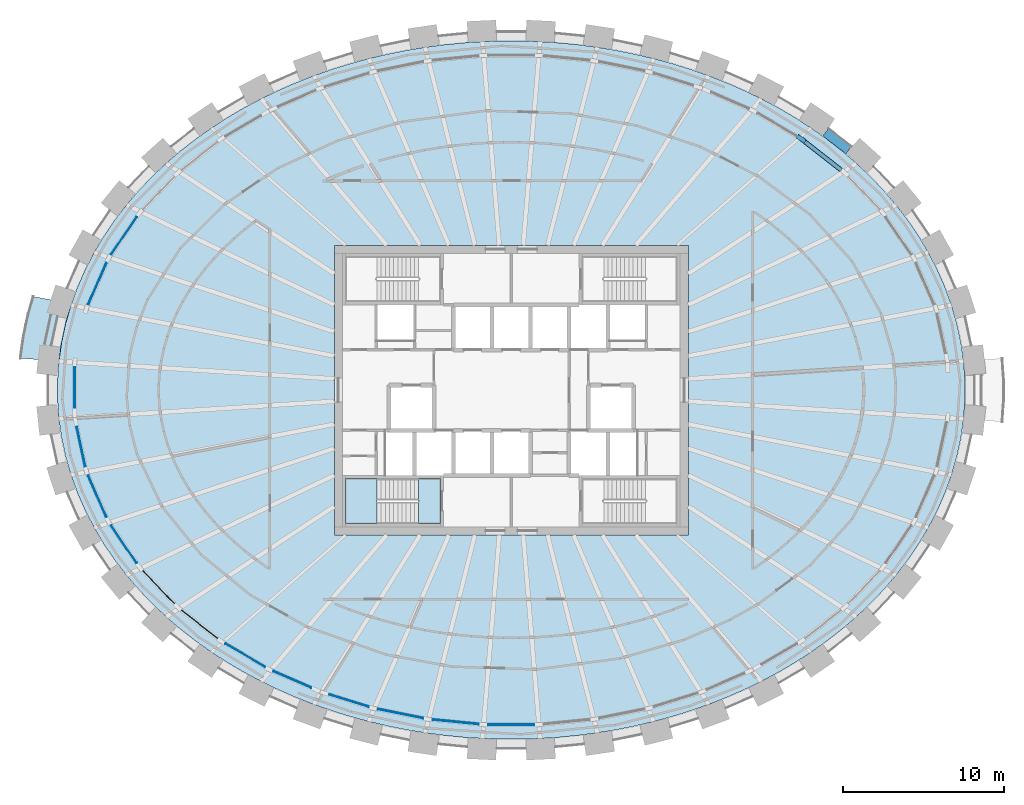
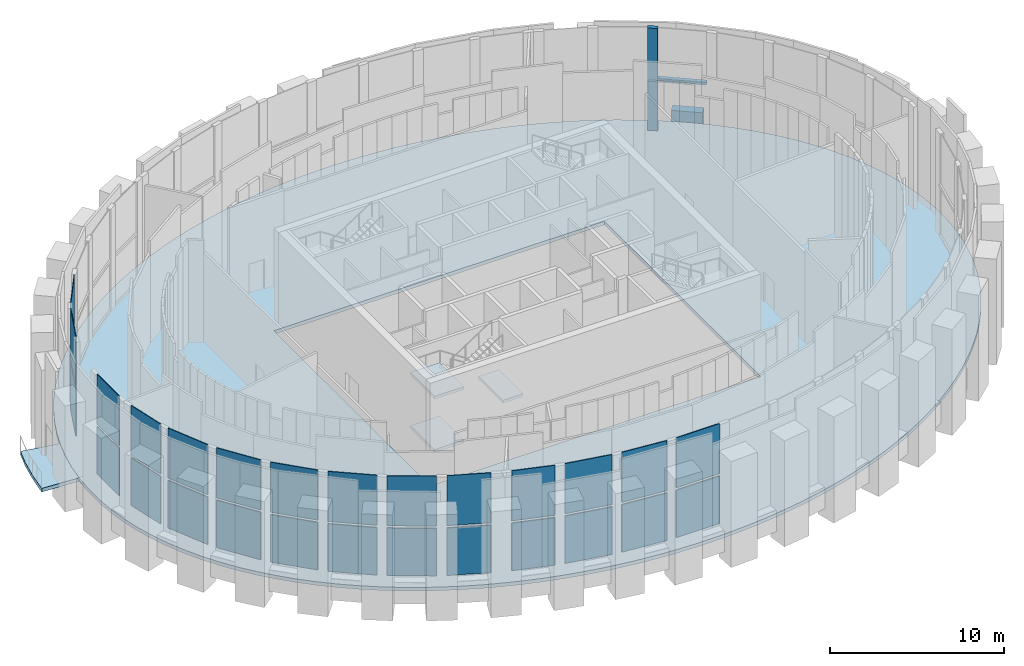
# One storey, part 5 of 16: 28 plates, 5 slabs, 2 members, 1 beam, 5 elements without a shape of their own.
"""IFC4 building model written with IfcOpenShell, lengths in metres."""

import ifcopenshell
import ifcopenshell.guid

model = None  # the IFC model being written
_history = None  # IfcOwnerHistory: only IFC2X3 demands one
_inside = {}  # id of a spatial element -> (the spatial element, [elements in it])
_under = {}  # id of a project, library or spatial element -> (it, [spatial elements below it])
_declared = {}  # id of a project -> (the project, [libraries it declares])
_typed = {}  # id of a type object -> (the type object, [elements of that type])
_made_of = {}  # id of a material, layer set ... -> (it, [elements and type objects made of it])


def new_model(schema):
    """Start an empty IFC model of exactly this schema.

    Asked for "IFC4X3", IfcOpenShell would pick the latest addendum, in which some entities
    have other attributes; the version numbers below select the first issue.
    IFC2X3 requires an IfcOwnerHistory on every rooted entity: one is made here for all.
    """
    global model, _history
    if schema == "IFC4X3":
        model = ifcopenshell.file(schema_version=(4, 3, 0, 0))
    else:
        model = ifcopenshell.file(schema=schema)
    _inside.clear()
    _under.clear()
    _declared.clear()
    _typed.clear()
    _made_of.clear()
    _history = None
    if model.schema == "IFC2X3":
        org = make("IfcOrganization", Name="unknown")
        user = make(
            "IfcPersonAndOrganization",
            ThePerson=make("IfcPerson", FamilyName="unknown"),
            TheOrganization=org,
        )
        app = make(
            "IfcApplication",
            ApplicationDeveloper=org,
            Version="unknown",
            ApplicationFullName="unknown",
            ApplicationIdentifier="unknown",
        )
        _history = make(
            "IfcOwnerHistory",
            OwningUser=user,
            OwningApplication=app,
            ChangeAction="ADDED",
            CreationDate=0,
        )
    return model


def make(cls, **values):
    """One entity of the class cls with the attributes given. An attribute that is None is left unset."""
    return model.create_entity(
        cls, **{name: value for name, value in values.items() if value is not None}
    )


def rooted(cls, **values):
    """An entity with a GlobalId (a new one), such as an element, a storey or a relation."""
    return make(cls, GlobalId=ifcopenshell.guid.new(), OwnerHistory=_history, **values)


def si_unit(unit_type, name, prefix=None):
    """IfcSIUnit, for example si_unit("LENGTHUNIT", "METRE", prefix="MILLI")."""
    return make("IfcSIUnit", UnitType=unit_type, Prefix=prefix, Name=name)


def assignment(units):
    """IfcUnitAssignment: the units of a project."""
    return None if units is None else make("IfcUnitAssignment", Units=units)


def point(xyz):
    """IfcCartesianPoint."""
    return None if xyz is None else make("IfcCartesianPoint", Coordinates=xyz)


def direction(xyz):
    """IfcDirection."""
    return None if xyz is None else make("IfcDirection", DirectionRatios=xyz)


def frame(location, z_axis=None, x_axis=None):
    """IfcAxis2Placement3D, a coordinate frame: its origin and axes. An axis left out is left unset."""
    return make(
        "IfcAxis2Placement3D",
        Location=point(location),
        Axis=direction(z_axis),
        RefDirection=direction(x_axis),
    )


def frame_2d(location, x_axis=None):
    """IfcAxis2Placement2D, a coordinate frame in the plane: its origin and x axis."""
    return make(
        "IfcAxis2Placement2D", Location=point(location), RefDirection=direction(x_axis)
    )


def origin():
    """The frame at (0, 0, 0) with its axes left unset."""
    return frame((0.0, 0.0, 0.0))


def origin_2d():
    """The frame at (0, 0) in the plane with its x axis left unset."""
    return frame_2d((0.0, 0.0))


def place(relative_to, where):
    """IfcLocalPlacement: puts the frame where relative to a parent placement (None: the world)."""
    return make(
        "IfcLocalPlacement", PlacementRelTo=relative_to, RelativePlacement=where
    )


def context(
    kind, dimensions, precision=None, world=None, true_north=None, identifier=None
):
    """IfcGeometricRepresentationContext, for example the 3D "Model" context."""
    return make(
        "IfcGeometricRepresentationContext",
        ContextIdentifier=identifier,
        ContextType=kind,
        CoordinateSpaceDimension=dimensions,
        Precision=precision,
        WorldCoordinateSystem=world,
        TrueNorth=true_north,
    )


def subcontext(parent, identifier, kind, view, scale=None):
    """IfcGeometricRepresentationSubContext, for example "Body" below "Model"."""
    return make(
        "IfcGeometricRepresentationSubContext",
        ContextIdentifier=identifier,
        ContextType=kind,
        ParentContext=parent,
        TargetScale=scale,
        TargetView=view,
    )


def project(units=None, contexts=None):
    """IfcProject with its units and contexts."""
    return rooted(
        "IfcProject",
        Name="project",
        RepresentationContexts=contexts,
        UnitsInContext=assignment(units),
    )


def spatial(cls, under=None, at=None, **own):
    """A site, building, storey or space (cls), placed at a placement, below another one or the project."""
    s = rooted(cls, ObjectPlacement=at, **own)
    if under is not None:
        _under.setdefault(under.id(), (under, []))[1].append(s)
    return s


def polyline(points):
    """IfcPolyline through the points."""
    return make("IfcPolyline", Points=[point(p) for p in points])


def profile(cls, at=None, kind="AREA", **sizes):
    """A parametric profile (cls). Its sizes go by their IFC names, for example OverallWidth=200.0."""
    return make(cls, ProfileType=kind, Position=at, **sizes)


def rectangle(**sizes):
    """IfcRectangleProfileDef."""
    return profile("IfcRectangleProfileDef", **sizes)


def outline(outer, holes=None, kind="AREA"):
    """IfcArbitraryClosedProfileDef: a profile drawn as a closed curve; with holes, ...WithVoids."""
    if holes is None:
        return make("IfcArbitraryClosedProfileDef", ProfileType=kind, OuterCurve=outer)
    return make(
        "IfcArbitraryProfileDefWithVoids",
        ProfileType=kind,
        OuterCurve=outer,
        InnerCurves=holes,
    )


def extrude(swept, where, along, depth):
    """IfcExtrudedAreaSolid: the profile swept, set in the frame where, extruded along a direction by depth."""
    return make(
        "IfcExtrudedAreaSolid",
        SweptArea=swept,
        Position=where,
        ExtrudedDirection=direction(along),
        Depth=depth,
    )


def shape(context_of_items, identifier, shape_type, items):
    """IfcShapeRepresentation: the items that make up one representation, for example the "Body"."""
    return make(
        "IfcShapeRepresentation",
        ContextOfItems=context_of_items,
        RepresentationIdentifier=identifier,
        RepresentationType=shape_type,
        Items=items,
    )


def source(mapping_origin, context_of_items, identifier, shape_type, items):
    """IfcRepresentationMap: a shape defined once, which mapped items show again and again."""
    return make(
        "IfcRepresentationMap",
        MappingOrigin=mapping_origin,
        MappedRepresentation=shape(context_of_items, identifier, shape_type, items),
    )


def transform(
    local_origin,
    x_axis=None,
    y_axis=None,
    z_axis=None,
    scale=None,
    scale2=None,
    scale3=None,
    uniform=True,
):
    """IfcCartesianTransformationOperator3D, or its non-uniform kind. x_axis, y_axis, z_axis: its Axis1, 2, 3."""
    if uniform:
        return make(
            "IfcCartesianTransformationOperator3D",
            Axis1=direction(x_axis),
            Axis2=direction(y_axis),
            LocalOrigin=point(local_origin),
            Scale=scale,
            Axis3=direction(z_axis),
        )
    return make(
        "IfcCartesianTransformationOperator3DnonUniform",
        Axis1=direction(x_axis),
        Axis2=direction(y_axis),
        LocalOrigin=point(local_origin),
        Scale=scale,
        Axis3=direction(z_axis),
        Scale2=scale2,
        Scale3=scale3,
    )


def mapped(mapping_source, mapping_target):
    """IfcMappedItem: shows the shape of a source again, moved by a transform."""
    return make(
        "IfcMappedItem", MappingSource=mapping_source, MappingTarget=mapping_target
    )


def material(Name=None, Category=None):
    """IfcMaterial."""
    return make("IfcMaterial", Name=Name, Category=Category)


def layer(
    of_material, thickness, ventilated=None, Name=None, Category=None, Priority=None
):
    """IfcMaterialLayer: one layer of a wall or slab, of a material (None: an air gap)."""
    return make(
        "IfcMaterialLayer",
        Material=of_material,
        LayerThickness=thickness,
        IsVentilated=ventilated,
        Name=Name,
        Category=Category,
        Priority=Priority,
    )


def layer_set(layers, Name=None):
    """IfcMaterialLayerSet."""
    return make("IfcMaterialLayerSet", MaterialLayers=layers, LayerSetName=Name)


def material_profile(
    of_material, cross_section, Name=None, Category=None, Priority=None
):
    """IfcMaterialProfile: a cross section and its material."""
    return make(
        "IfcMaterialProfile",
        Name=Name,
        Material=of_material,
        Profile=cross_section,
        Priority=Priority,
        Category=Category,
    )


def profile_set(profiles, Name=None, composite=None):
    """IfcMaterialProfileSet."""
    return make(
        "IfcMaterialProfileSet",
        Name=Name,
        MaterialProfiles=profiles,
        CompositeProfile=composite,
    )


def made_of(thing, what):
    """Note that an element or type object is made of a material, layer set ...; save() writes the relation."""
    if what is not None:
        _made_of.setdefault(what.id(), (what, []))[1].append(thing)
    return thing


def type_object(cls, material=None, **own):
    """A type object (cls), such as IfcWallType, which elements share."""
    return made_of(rooted(cls, **own), material)


def element(
    cls,
    number,
    at=None,
    inside=None,
    cuts=None,
    type_object=None,
    material=None,
    context=None,
    identifier="Body",
    shape_type=None,
    held_by="IfcProductDefinitionShape",
    body=None,
    shapes=None,
    **own,
):
    """One element of the class cls, such as IfcWall. Its Tag is "e" and its number.

    at: its placement. inside: the storey or other place that contains it. cuts: it is an
    opening in that element (IfcRelVoidsElement). A single representation is given by context,
    identifier, shape_type and body (its items); several are given by shapes. held_by: the class
    of the entity that holds the representations. save() writes the other relations.
    """
    e = rooted(cls, Tag="e%d" % number, ObjectPlacement=at, **own)
    if body is not None:
        shapes = [shape(context, identifier, shape_type, body)]
    if shapes is not None:
        e.Representation = make(held_by, Representations=shapes)
    if inside is not None:
        _inside.setdefault(inside.id(), (inside, []))[1].append(e)
    if cuts is not None:
        rooted(
            "IfcRelVoidsElement", RelatingBuildingElement=cuts, RelatedOpeningElement=e
        )
    if type_object is not None:
        _typed.setdefault(type_object.id(), (type_object, []))[1].append(e)
    return made_of(e, material)


def aggregate(whole, parts):
    """IfcRelAggregates: a whole, such as a stair, and the parts it consists of."""
    return rooted("IfcRelAggregates", RelatingObject=whole, RelatedObjects=parts)


def save(model, path):
    """Write the relations noted so far, then the file.

    IfcRelAggregates (storeys below a building ...), IfcRelContainedInSpatialStructure (elements
    in a storey), IfcRelDefinesByType, IfcRelAssociatesMaterial and IfcRelDeclares: one each for
    every whole, place, type object, material and project.
    """
    for whole, parts in _under.values():
        aggregate(whole, parts)
    for where, things in _inside.values():
        rooted(
            "IfcRelContainedInSpatialStructure",
            RelatedElements=things,
            RelatingStructure=where,
        )
    for kind, things in _typed.values():
        rooted("IfcRelDefinesByType", RelatedObjects=things, RelatingType=kind)
    for what, things in _made_of.values():
        rooted("IfcRelAssociatesMaterial", RelatedObjects=things, RelatingMaterial=what)
    for by, libraries in _declared.values():
        rooted("IfcRelDeclares", RelatingContext=by, RelatedDefinitions=libraries)
    model.write(path)


model = new_model("IFC4")

# Units and contexts
model_context = context("Model", 3, precision=1e-05, world=origin(), true_north=direction((0.0, 1.0)))
body_context = subcontext(model_context, "Body", "Model", "MODEL_VIEW")
ifc_project = project(units=[si_unit("LENGTHUNIT", "METRE"), si_unit("AREAUNIT", "SQUARE_METRE"), si_unit("VOLUMEUNIT", "CUBIC_METRE"), si_unit("PLANEANGLEUNIT", "RADIAN"), si_unit("MASSUNIT", "GRAM", prefix="KILO")], contexts=[model_context])

# Site, building, storey
site_placement = place(None, origin())
site = spatial("IfcSite", under=ifc_project, at=site_placement, CompositionType="ELEMENT")
building_placement = place(site_placement, origin())
building = spatial("IfcBuilding", under=site, at=building_placement, Name="Embergate Tower", CompositionType="ELEMENT")
storey_placement = place(building_placement, frame((0.0, 0.0, 332.5)))
storey = spatial("IfcBuildingStorey", under=building, at=storey_placement, Name="L78", CompositionType="ELEMENT", Elevation=332.5)

# Beam
ifc_material_1 = material(Name="Concrete C50", Category="concrete")
ifc_material_profile_1 = material_profile(ifc_material_1, rectangle(XDim=0.550048828125, YDim=1.5, at=origin_2d()), Name="RC 550x1500")
ifc_profile_set_1 = profile_set([ifc_material_profile_1], Name="Concrete C50")
beam_type = type_object("IfcBeamType", Name="Spandrel beam RC 550x1500 C50", PredefinedType="BEAM", material=ifc_profile_set_1)
shared_shape_1 = source(origin(), body_context, "Body", "SweptSolid", [
    extrude(rectangle(XDim=0.550048828125, YDim=1.5, at=origin_2d()), origin(), (0.0, 0.0, 1.0), 1.819091796875),
])
beam_placement = place(storey_placement, frame((20.965087890625, 14.89794921875, 0.0), z_axis=(-0.788353886908, 0.615222032275, 0.0), x_axis=(-0.615222032275, -0.788353886908, 0.0)))
element("IfcBeam", 1, at=beam_placement, inside=storey, type_object=beam_type, Name="SPN-L78-04", PredefinedType="BEAM", context=body_context, shape_type="MappedRepresentation", body=[
    mapped(shared_shape_1, transform((0.0, 0.0, 0.0))),
])

# Curtain wall, members
ifc_material_2 = material(Name="Aluminium and glass", Category="aluminium")
curtain_wall_type = type_object("IfcCurtainWallType", Name="Observation glazing", PredefinedType="NOTDEFINED", material=ifc_material_2)
curtain_wall_1_placement = place(storey_placement, origin())
curtain_wall_1 = element("IfcCurtainWall", 2, at=curtain_wall_1_placement, inside=storey, type_object=curtain_wall_type, Name="Observation glazing run 1", ObjectType="OBSERVATION GLAZING", PredefinedType="USERDEFINED")
ifc_material_3 = material(Name="Aluminium, thermally broken", Category="aluminium")
ifc_material_profile_2 = material_profile(ifc_material_3, rectangle(XDim=0.260009765625, YDim=0.60009765625, at=origin_2d()), Name="AL 600x260")
ifc_profile_set_2 = profile_set([ifc_material_profile_2], Name="Aluminium, thermally broken")
member_type_1 = type_object("IfcMemberType", Name="Observation mullion", PredefinedType="MULLION", material=ifc_profile_set_2)
shared_shape_2 = source(origin(), body_context, "Body", "SweptSolid", [
    extrude(rectangle(XDim=0.260009765625, YDim=0.60009765625, at=origin_2d()), origin(), (0.0, 0.0, 1.0), 7.199951171875),
])
member_1_placement = place(storey_placement, frame((18.01806640625, 15.61181640625, 0.0), z_axis=(0.0, 0.0, 1.0), x_axis=(-0.562194524426, -0.827005028223, 0.0)))
member_1 = element("IfcMember", 3, at=member_1_placement, type_object=member_type_1, Name="CW mullion 6", PredefinedType="MULLION", context=body_context, shape_type="MappedRepresentation", body=[
    mapped(shared_shape_2, transform((0.0, 0.0, 0.0))),
])
ifc_material_profile_3 = material_profile(ifc_material_3, rectangle(XDim=0.260009765625, YDim=0.179931640625, at=origin_2d()), Name="AL 180x260")
ifc_profile_set_3 = profile_set([ifc_material_profile_3], Name="Aluminium, thermally broken")
member_type_2 = type_object("IfcMemberType", Name="Observation transom", PredefinedType="USERDEFINED", material=ifc_profile_set_3)
shared_shape_3 = source(origin(), body_context, "Body", "SweptSolid", [
    extrude(rectangle(XDim=0.260009765625, YDim=0.179931640625, at=origin_2d()), origin(), (0.0, 0.0, 1.0), 2.8447265625),
])
member_2_placement = place(storey_placement, frame((20.497314453125, 13.6767578125, 3.60009765625), z_axis=(-0.788339133471, 0.615240937063, 0.0), x_axis=(-0.615240937063, -0.788339133471, 0.0)))
member_2 = element("IfcMember", 4, at=member_2_placement, type_object=member_type_2, Name="CW transom 5.2", ObjectType="TRANSOM", PredefinedType="USERDEFINED", context=body_context, shape_type="MappedRepresentation", body=[
    mapped(shared_shape_3, transform((0.0, 0.0, 0.0))),
])
aggregate(curtain_wall_1, [member_1, member_2])

# Slab
ifc_layer_1 = layer(ifc_material_1, 0.25)
ifc_layer_set_1 = layer_set([ifc_layer_1], Name="Concrete C50")
slab_type_1 = type_object("IfcSlabType", Name="Observation floor slab C50 250", PredefinedType="FLOOR", material=ifc_layer_set_1)
shared_shape_4 = source(origin(), body_context, "Body", "SweptSolid", [
    extrude(outline(polyline([(0.0, 0.0), (1.19384765625, 0.0), (2.385986328125, 0.0390625), (3.577880859375, 0.1171875), (4.765869140625, 0.233154296875), (5.946044921875, 0.38916015625), (7.1279296875, 0.583984375), (8.296875, 0.819091796875), (9.452880859375, 1.092041015625), (10.61083984375, 1.407958984375), (11.75, 1.76318359375), (12.867919921875, 2.156005859375), (13.988037109375, 2.595947265625), (15.080810546875, 3.073974609375), (16.14599609375, 3.589111328125), (17.208984375, 4.156005859375), (18.23681640625, 4.760986328125), (19.22900390625, 5.401123046875), (20.212890625, 6.10009765625), (21.15380859375, 6.833984375), (22.0478515625, 7.60205078125), (22.9248046875, 8.43212890625), (23.747802734375, 9.296142578125), (24.514892578125, 10.18896484375), (25.25, 11.14697265625), (25.9208984375, 12.133056640625), (26.52490234375, 13.14404296875), (27.077880859375, 14.215087890625), (27.556884765625, 15.30712890625), (27.9599609375, 16.4169921875), (28.29296875, 17.570068359375), (28.54296875, 18.735107421875), (28.7109375, 19.9091796875), (28.7958984375, 21.09912109375), (28.7958984375, 22.291015625), (28.7109375, 23.48095703125), (28.54296875, 24.655029296875), (28.29296875, 25.820068359375), (27.9599609375, 26.97314453125), (27.556884765625, 28.0830078125), (27.077880859375, 29.175048828125), (26.52490234375, 30.24609375), (25.9208984375, 31.257080078125), (25.25, 32.2431640625), (24.514892578125, 33.201171875), (23.747802734375, 34.093994140625), (22.9248046875, 34.9580078125), (22.0478515625, 35.7880859375), (21.15380859375, 36.55615234375), (20.212890625, 37.2900390625), (19.22900390625, 37.989013671875), (18.23681640625, 38.629150390625), (17.208984375, 39.234130859375), (16.14599609375, 39.801025390625), (15.080810546875, 40.316162109375), (13.988037109375, 40.794189453125), (12.867919921875, 41.234130859375), (11.75, 41.626953125), (10.61083984375, 41.982177734375), (9.452880859375, 42.298095703125), (8.296875, 42.571044921875), (7.1279296875, 42.80615234375), (5.946044921875, 43.0009765625), (4.765869140625, 43.156982421875), (3.577880859375, 43.27294921875), (2.385986328125, 43.35107421875), (1.19384765625, 43.39013671875), (0.0, 43.39013671875), (-1.192138671875, 43.35107421875), (-2.384033203125, 43.27294921875), (-3.572021484375, 43.156982421875), (-4.752197265625, 43.0009765625), (-5.93408203125, 42.80615234375), (-7.10302734375, 42.571044921875), (-8.259033203125, 42.298095703125), (-9.4169921875, 41.982177734375), (-10.55615234375, 41.626953125), (-11.674072265625, 41.234130859375), (-12.794189453125, 40.794189453125), (-13.886962890625, 40.316162109375), (-14.9521484375, 39.801025390625), (-16.01513671875, 39.234130859375), (-17.04296875, 38.629150390625), (-18.03515625, 37.989013671875), (-19.01904296875, 37.2900390625), (-19.9599609375, 36.55615234375), (-20.85400390625, 35.7880859375), (-21.73095703125, 34.9580078125), (-22.553955078125, 34.093994140625), (-23.321044921875, 33.201171875), (-24.05615234375, 32.2431640625), (-24.72705078125, 31.257080078125), (-25.3310546875, 30.24609375), (-25.884033203125, 29.175048828125), (-26.363037109375, 28.0830078125), (-26.76611328125, 26.97314453125), (-27.09912109375, 25.820068359375), (-27.34912109375, 24.655029296875), (-27.51708984375, 23.48095703125), (-27.60205078125, 22.291015625), (-27.60205078125, 21.09912109375), (-27.51708984375, 19.9091796875), (-27.34912109375, 18.735107421875), (-27.09912109375, 17.570068359375), (-26.76611328125, 16.4169921875), (-26.363037109375, 15.30712890625), (-25.884033203125, 14.215087890625), (-25.3310546875, 13.14404296875), (-24.72705078125, 12.133056640625), (-24.05615234375, 11.14697265625), (-23.321044921875, 10.18896484375), (-22.553955078125, 9.296142578125), (-21.73095703125, 8.43212890625), (-20.85400390625, 7.60205078125), (-19.9599609375, 6.833984375), (-19.01904296875, 6.10009765625), (-18.03515625, 5.401123046875), (-17.04296875, 4.760986328125), (-16.01513671875, 4.156005859375), (-14.9521484375, 3.589111328125), (-13.886962890625, 3.073974609375), (-12.794189453125, 2.595947265625), (-11.674072265625, 2.156005859375), (-10.55615234375, 1.76318359375), (-9.4169921875, 1.407958984375), (-8.259033203125, 1.092041015625), (-7.10302734375, 0.819091796875), (-5.93408203125, 0.583984375), (-4.752197265625, 0.38916015625), (-3.572021484375, 0.233154296875), (-2.384033203125, 0.1171875), (-1.192138671875, 0.0390625), (0.0, 0.0)]), holes=[polyline([(-10.403076171875, 12.695068359375), (-10.403076171875, 30.695068359375), (11.596923828125, 30.695068359375), (11.596923828125, 12.695068359375), (-10.403076171875, 12.695068359375)])]), origin(), (0.0, 0.0, 1.0), 0.25),
])
slab_1_placement = place(storey_placement, frame((-0.596923828125, -21.695068359375, -0.25)))
element("IfcSlab", 5, at=slab_1_placement, inside=storey, type_object=slab_type_1, Name="SLB-L78-00", PredefinedType="FLOOR", context=body_context, shape_type="MappedRepresentation", body=[
    mapped(shared_shape_4, transform((0.0, 0.0, 0.0))),
])

# Curtain wall, plates
curtain_wall_2_placement = place(storey_placement, origin())
curtain_wall_2 = element("IfcCurtainWall", 6, at=curtain_wall_2_placement, inside=storey, type_object=curtain_wall_type, Name="Observation glazing run 4", ObjectType="OBSERVATION GLAZING", PredefinedType="USERDEFINED")
ifc_material_4 = material(Name="Triple glazing, low-emissivity coating", Category="glass")
ifc_layer_2 = layer(ifc_material_4, 0.050048828125)
ifc_layer_set_2 = layer_set([ifc_layer_2], Name="Triple glazing, low-emissivity coating")
plate_type = type_object("IfcPlateType", Name="Observation glazing unit", PredefinedType="CURTAIN_PANEL", material=ifc_layer_set_2)
shared_shape_5 = source(origin(), body_context, "Body", "SweptSolid", [
    extrude(rectangle(XDim=2.511474609375, YDim=0.050048828125, at=origin_2d()), origin(), (0.0, 0.0, 1.0), 3.330078125),
])
plate_1_placement = place(storey_placement, frame((-26.734130859375, -3.5185546875, 0.179931640625), z_axis=(0.0, 0.0, 1.0), x_axis=(0.210406922475, -0.97761389463, 0.0)))
plate_1 = element("IfcPlate", 7, at=plate_1_placement, type_object=plate_type, Name="CW panel 1.1", PredefinedType="CURTAIN_PANEL", context=body_context, shape_type="MappedRepresentation", body=[
    mapped(shared_shape_5, transform((0.0, 0.0, 0.0))),
])
shared_shape_6 = source(origin(), body_context, "Body", "SweptSolid", [
    extrude(rectangle(XDim=2.511474609375, YDim=0.050048828125, at=origin_2d()), origin(), (0.0, 0.0, 1.0), 3.510009765625),
])
plate_2_placement = place(storey_placement, frame((-26.734130859375, -3.5185546875, 3.68994140625), z_axis=(0.0, 0.0, 1.0), x_axis=(0.210406922475, -0.97761389463, 0.0)))
plate_2 = element("IfcPlate", 8, at=plate_2_placement, type_object=plate_type, Name="CW panel 1.2", PredefinedType="CURTAIN_PANEL", context=body_context, shape_type="MappedRepresentation", body=[
    mapped(shared_shape_6, transform((0.0, 0.0, 0.0))),
])

# Curtain wall, plate
curtain_wall_3_placement = place(storey_placement, origin())
curtain_wall_3 = element("IfcCurtainWall", 9, at=curtain_wall_3_placement, inside=storey, type_object=curtain_wall_type, Name="Observation glazing run 3", ObjectType="OBSERVATION GLAZING", PredefinedType="USERDEFINED")
shared_shape_7 = source(origin(), body_context, "Body", "SweptSolid", [
    extrude(rectangle(XDim=2.818603515625, YDim=0.050048828125, at=origin_2d()), origin(), (0.0, 0.0, 1.0), 3.330078125),
])
plate_3_placement = place(storey_placement, frame((-25.72021484375, 6.604736328125, 0.179931640625), z_axis=(0.0, 0.0, 1.0), x_axis=(-0.401664887991, -0.91578672067, 0.0)))
plate_3 = element("IfcPlate", 10, at=plate_3_placement, type_object=plate_type, Name="CW panel 5.1", PredefinedType="CURTAIN_PANEL", context=body_context, shape_type="MappedRepresentation", body=[
    mapped(shared_shape_7, transform((0.0, 0.0, 0.0))),
])

# Plate
plate_4_placement = place(storey_placement, frame((-25.72021484375, -6.604736328125, 0.179931640625), z_axis=(0.0, 0.0, 1.0), x_axis=(0.401664887991, -0.91578672067, 0.0)))
plate_4 = element("IfcPlate", 11, at=plate_4_placement, type_object=plate_type, Name="CW panel 2.1", PredefinedType="CURTAIN_PANEL", context=body_context, shape_type="MappedRepresentation", body=[
    mapped(shared_shape_7, transform((0.0, 0.0, 0.0))),
])

shared_shape_8 = source(origin(), body_context, "Body", "SweptSolid", [
    extrude(rectangle(XDim=2.818603515625, YDim=0.050048828125, at=origin_2d()), origin(), (0.0, 0.0, 1.0), 3.510009765625),
])
plate_5_placement = place(storey_placement, frame((-25.72021484375, 6.604736328125, 3.68994140625), z_axis=(0.0, 0.0, 1.0), x_axis=(-0.401664887991, -0.91578672067, 0.0)))
plate_5 = element("IfcPlate", 12, at=plate_5_placement, type_object=plate_type, Name="CW panel 5.2", PredefinedType="CURTAIN_PANEL", context=body_context, shape_type="MappedRepresentation", body=[
    mapped(shared_shape_8, transform((0.0, 0.0, 0.0))),
])

plate_6_placement = place(storey_placement, frame((-25.72021484375, -6.604736328125, 3.68994140625), z_axis=(0.0, 0.0, 1.0), x_axis=(0.401664887991, -0.91578672067, 0.0)))
plate_6 = element("IfcPlate", 13, at=plate_6_placement, type_object=plate_type, Name="CW panel 2.2", PredefinedType="CURTAIN_PANEL", context=body_context, shape_type="MappedRepresentation", body=[
    mapped(shared_shape_8, transform((0.0, 0.0, 0.0))),
])

shared_shape_9 = source(origin(), body_context, "Body", "SweptSolid", [
    extrude(rectangle(XDim=2.827880859375, YDim=0.050048828125, at=origin_2d()), origin(), (0.0, 0.0, 1.0), 3.330078125),
])
plate_7_placement = place(storey_placement, frame((-24.06982421875, 9.58740234375, 0.179931640625), z_axis=(0.0, 0.0, 1.0), x_axis=(-0.562353287631, -0.826897079382, 0.0)))
plate_7 = element("IfcPlate", 14, at=plate_7_placement, type_object=plate_type, Name="CW panel 4.1", PredefinedType="CURTAIN_PANEL", context=body_context, shape_type="MappedRepresentation", body=[
    mapped(shared_shape_9, transform((0.0, 0.0, 0.0))),
])

plate_8_placement = place(storey_placement, frame((-24.06982421875, -9.58740234375, 0.179931640625), z_axis=(0.0, 0.0, 1.0), x_axis=(0.562353287631, -0.826897079382, 0.0)))
plate_8 = element("IfcPlate", 15, at=plate_8_placement, type_object=plate_type, Name="CW panel 3.1", PredefinedType="CURTAIN_PANEL", context=body_context, shape_type="MappedRepresentation", body=[
    mapped(shared_shape_9, transform((0.0, 0.0, 0.0))),
])

shared_shape_10 = source(origin(), body_context, "Body", "SweptSolid", [
    extrude(rectangle(XDim=2.827880859375, YDim=0.050048828125, at=origin_2d()), origin(), (0.0, 0.0, 1.0), 3.510009765625),
])
plate_9_placement = place(storey_placement, frame((-24.06982421875, 9.58740234375, 3.68994140625), z_axis=(0.0, 0.0, 1.0), x_axis=(-0.562353287631, -0.826897079382, 0.0)))
plate_9 = element("IfcPlate", 16, at=plate_9_placement, type_object=plate_type, Name="CW panel 4.2", PredefinedType="CURTAIN_PANEL", context=body_context, shape_type="MappedRepresentation", body=[
    mapped(shared_shape_10, transform((0.0, 0.0, 0.0))),
])

plate_10_placement = place(storey_placement, frame((-24.06982421875, -9.58740234375, 3.68994140625), z_axis=(0.0, 0.0, 1.0), x_axis=(0.562353287631, -0.826897079382, 0.0)))
plate_10 = element("IfcPlate", 17, at=plate_10_placement, type_object=plate_type, Name="CW panel 3.2", PredefinedType="CURTAIN_PANEL", context=body_context, shape_type="MappedRepresentation", body=[
    mapped(shared_shape_10, transform((0.0, 0.0, 0.0))),
])

shared_shape_11 = source(origin(), body_context, "Body", "SweptSolid", [
    extrude(rectangle(XDim=2.837158203125, YDim=0.050048828125, at=origin_2d()), origin(), (0.0, 0.0, 1.0), 3.330078125),
])
plate_11_placement = place(storey_placement, frame((-21.919921875, -12.248291015625, 0.179931640625), z_axis=(0.0, 0.0, 1.0), x_axis=(0.690142625854, -0.723673376586, 0.0)))
plate_11 = element("IfcPlate", 18, at=plate_11_placement, type_object=plate_type, Name="CW panel 4.1", PredefinedType="CURTAIN_PANEL", context=body_context, shape_type="MappedRepresentation", body=[
    mapped(shared_shape_11, transform((0.0, 0.0, 0.0))),
])

shared_shape_12 = source(origin(), body_context, "Body", "SweptSolid", [
    extrude(rectangle(XDim=2.837158203125, YDim=0.050048828125, at=origin_2d()), origin(), (0.0, 0.0, 1.0), 3.510009765625),
])
plate_12_placement = place(storey_placement, frame((-21.919921875, -12.248291015625, 3.68994140625), z_axis=(0.0, 0.0, 1.0), x_axis=(0.690142625854, -0.723673376586, 0.0)))
plate_12 = element("IfcPlate", 19, at=plate_12_placement, type_object=plate_type, Name="CW panel 4.2", PredefinedType="CURTAIN_PANEL", context=body_context, shape_type="MappedRepresentation", body=[
    mapped(shared_shape_12, transform((0.0, 0.0, 0.0))),
])

shared_shape_13 = source(origin(), body_context, "Body", "SweptSolid", [
    extrude(rectangle(XDim=2.844970703125, YDim=0.050048828125, at=origin_2d()), origin(), (0.0, 0.0, 1.0), 3.330078125),
])
plate_13_placement = place(storey_placement, frame((-19.3759765625, -14.552001953125, 0.179931640625), z_axis=(0.0, 0.0, 1.0), x_axis=(0.788325488427, -0.615258420744, 0.0)))
plate_13 = element("IfcPlate", 20, at=plate_13_placement, type_object=plate_type, Name="CW panel 5.1", PredefinedType="CURTAIN_PANEL", context=body_context, shape_type="MappedRepresentation", body=[
    mapped(shared_shape_13, transform((0.0, 0.0, 0.0))),
])

shared_shape_14 = source(origin(), body_context, "Body", "SweptSolid", [
    extrude(rectangle(XDim=2.844970703125, YDim=0.050048828125, at=origin_2d()), origin(), (0.0, 0.0, 1.0), 3.510009765625),
])
plate_14_placement = place(storey_placement, frame((-19.3759765625, -14.552001953125, 3.68994140625), z_axis=(0.0, 0.0, 1.0), x_axis=(0.788325488427, -0.615258420744, 0.0)))
plate_14 = element("IfcPlate", 21, at=plate_14_placement, type_object=plate_type, Name="CW panel 5.2", PredefinedType="CURTAIN_PANEL", context=body_context, shape_type="MappedRepresentation", body=[
    mapped(shared_shape_14, transform((0.0, 0.0, 0.0))),
])

shared_shape_15 = source(origin(), body_context, "Body", "SweptSolid", [
    extrude(rectangle(XDim=2.851318359375, YDim=0.050048828125, at=origin_2d()), origin(), (0.0, 0.0, 1.0), 3.330078125),
])
plate_15_placement = place(storey_placement, frame((-16.530517578125, -16.486083984375, 0.179931640625), z_axis=(0.0, 0.0, 1.0), x_axis=(0.862056706047, -0.506811834471, 0.0)))
plate_15 = element("IfcPlate", 22, at=plate_15_placement, type_object=plate_type, Name="CW panel 6.1", PredefinedType="CURTAIN_PANEL", context=body_context, shape_type="MappedRepresentation", body=[
    mapped(shared_shape_15, transform((0.0, 0.0, 0.0))),
])

shared_shape_16 = source(origin(), body_context, "Body", "SweptSolid", [
    extrude(rectangle(XDim=2.851318359375, YDim=0.050048828125, at=origin_2d()), origin(), (0.0, 0.0, 1.0), 3.510009765625),
])
plate_16_placement = place(storey_placement, frame((-16.530517578125, -16.486083984375, 3.68994140625), z_axis=(0.0, 0.0, 1.0), x_axis=(0.862056706047, -0.506811834471, 0.0)))
plate_16 = element("IfcPlate", 23, at=plate_16_placement, type_object=plate_type, Name="CW panel 6.2", PredefinedType="CURTAIN_PANEL", context=body_context, shape_type="MappedRepresentation", body=[
    mapped(shared_shape_16, transform((0.0, 0.0, 0.0))),
])

shared_shape_17 = source(origin(), body_context, "Body", "SweptSolid", [
    extrude(rectangle(XDim=2.55615234375, YDim=0.050048828125, at=origin_2d()), origin(), (0.0, 0.0, 1.0), 3.330078125),
])
plate_17_placement = place(storey_placement, frame((-13.596923828125, -17.992919921875, 0.179931640625), z_axis=(0.0, 0.0, 1.0), x_axis=(0.916238309467, -0.400633698365, 0.0)))
plate_17 = element("IfcPlate", 24, at=plate_17_placement, type_object=plate_type, Name="CW panel 7.1", PredefinedType="CURTAIN_PANEL", context=body_context, shape_type="MappedRepresentation", body=[
    mapped(shared_shape_17, transform((0.0, 0.0, 0.0))),
])

shared_shape_18 = source(origin(), body_context, "Body", "SweptSolid", [
    extrude(rectangle(XDim=2.55615234375, YDim=0.050048828125, at=origin_2d()), origin(), (0.0, 0.0, 1.0), 3.510009765625),
])
plate_18_placement = place(storey_placement, frame((-13.596923828125, -17.992919921875, 3.68994140625), z_axis=(0.0, 0.0, 1.0), x_axis=(0.916238309467, -0.400633698365, 0.0)))
plate_18 = element("IfcPlate", 25, at=plate_18_placement, type_object=plate_type, Name="CW panel 7.2", PredefinedType="CURTAIN_PANEL", context=body_context, shape_type="MappedRepresentation", body=[
    mapped(shared_shape_18, transform((0.0, 0.0, 0.0))),
])

aggregate(curtain_wall_2, [plate_1, plate_2, plate_4, plate_6, plate_8, plate_10, plate_11, plate_12, plate_13, plate_14, plate_15, plate_16, plate_17, plate_18])

# Curtain wall, plates
curtain_wall_4_placement = place(storey_placement, origin())
curtain_wall_4 = element("IfcCurtainWall", 26, at=curtain_wall_4_placement, inside=storey, type_object=curtain_wall_type, Name="Observation glazing run 5", ObjectType="OBSERVATION GLAZING", PredefinedType="USERDEFINED")
shared_shape_19 = source(origin(), body_context, "Body", "SweptSolid", [
    extrude(rectangle(XDim=2.5595703125, YDim=0.050048828125, at=origin_2d()), origin(), (0.0, 0.0, 1.0), 3.330078125),
])
plate_19_placement = place(storey_placement, frame((-10.08154296875, -19.304443359375, 0.179931640625), z_axis=(0.0, 0.0, 1.0), x_axis=(0.954773255075, -0.29733488089, 0.0)))
plate_19 = element("IfcPlate", 27, at=plate_19_placement, type_object=plate_type, Name="CW panel 1.1", PredefinedType="CURTAIN_PANEL", context=body_context, shape_type="MappedRepresentation", body=[
    mapped(shared_shape_19, transform((0.0, 0.0, 0.0))),
])
shared_shape_20 = source(origin(), body_context, "Body", "SweptSolid", [
    extrude(rectangle(XDim=2.5595703125, YDim=0.050048828125, at=origin_2d()), origin(), (0.0, 0.0, 1.0), 3.510009765625),
])
plate_20_placement = place(storey_placement, frame((-10.08154296875, -19.304443359375, 3.68994140625), z_axis=(0.0, 0.0, 1.0), x_axis=(0.954773255075, -0.29733488089, 0.0)))
plate_20 = element("IfcPlate", 28, at=plate_20_placement, type_object=plate_type, Name="CW panel 1.2", PredefinedType="CURTAIN_PANEL", context=body_context, shape_type="MappedRepresentation", body=[
    mapped(shared_shape_20, transform((0.0, 0.0, 0.0))),
])
shared_shape_21 = source(origin(), body_context, "Body", "SweptSolid", [
    extrude(rectangle(XDim=2.862060546875, YDim=0.050048828125, at=origin_2d()), origin(), (0.0, 0.0, 1.0), 3.330078125),
])
plate_21_placement = place(storey_placement, frame((-6.8759765625, -20.114501953125, 0.179931640625), z_axis=(0.0, 0.0, 1.0), x_axis=(0.980476250608, -0.196637539636, 0.0)))
plate_21 = element("IfcPlate", 29, at=plate_21_placement, type_object=plate_type, Name="CW panel 2.1", PredefinedType="CURTAIN_PANEL", context=body_context, shape_type="MappedRepresentation", body=[
    mapped(shared_shape_21, transform((0.0, 0.0, 0.0))),
])
shared_shape_22 = source(origin(), body_context, "Body", "SweptSolid", [
    extrude(rectangle(XDim=2.862060546875, YDim=0.050048828125, at=origin_2d()), origin(), (0.0, 0.0, 1.0), 3.510009765625),
])
plate_22_placement = place(storey_placement, frame((-6.8759765625, -20.114501953125, 3.68994140625), z_axis=(0.0, 0.0, 1.0), x_axis=(0.980476250608, -0.196637539636, 0.0)))
plate_22 = element("IfcPlate", 30, at=plate_22_placement, type_object=plate_type, Name="CW panel 2.2", PredefinedType="CURTAIN_PANEL", context=body_context, shape_type="MappedRepresentation", body=[
    mapped(shared_shape_22, transform((0.0, 0.0, 0.0))),
])
shared_shape_23 = source(origin(), body_context, "Body", "SweptSolid", [
    extrude(rectangle(XDim=2.86328125, YDim=0.050048828125, at=origin_2d()), origin(), (0.0, 0.0, 1.0), 3.330078125),
])
plate_23_placement = place(storey_placement, frame((-3.455322265625, -20.624267578125, 0.179931640625), z_axis=(0.0, 0.0, 1.0), x_axis=(0.995203355531, -0.09782781373, 0.0)))
plate_23 = element("IfcPlate", 31, at=plate_23_placement, type_object=plate_type, Name="CW panel 3.1", PredefinedType="CURTAIN_PANEL", context=body_context, shape_type="MappedRepresentation", body=[
    mapped(shared_shape_23, transform((0.0, 0.0, 0.0))),
])
shared_shape_24 = source(origin(), body_context, "Body", "SweptSolid", [
    extrude(rectangle(XDim=2.86328125, YDim=0.050048828125, at=origin_2d()), origin(), (0.0, 0.0, 1.0), 3.510009765625),
])
plate_24_placement = place(storey_placement, frame((-3.455322265625, -20.624267578125, 3.68994140625), z_axis=(0.0, 0.0, 1.0), x_axis=(0.995203355531, -0.09782781373, 0.0)))
plate_24 = element("IfcPlate", 32, at=plate_24_placement, type_object=plate_type, Name="CW panel 3.2", PredefinedType="CURTAIN_PANEL", context=body_context, shape_type="MappedRepresentation", body=[
    mapped(shared_shape_24, transform((0.0, 0.0, 0.0))),
])
shared_shape_25 = source(origin(), body_context, "Body", "SweptSolid", [
    extrude(rectangle(XDim=2.86376953125, YDim=0.050048828125, at=origin_2d()), origin(), (0.0, 0.0, 1.0), 3.330078125),
])
plate_25_placement = place(storey_placement, frame((0.0, -20.793701171875, 0.179931640625), z_axis=(0.0, 0.0, 1.0), x_axis=(1.0, 0.0, 0.0)))
plate_25 = element("IfcPlate", 33, at=plate_25_placement, type_object=plate_type, Name="CW panel 4.1", PredefinedType="CURTAIN_PANEL", context=body_context, shape_type="MappedRepresentation", body=[
    mapped(shared_shape_25, transform((0.0, 0.0, 0.0))),
])
shared_shape_26 = source(origin(), body_context, "Body", "SweptSolid", [
    extrude(rectangle(XDim=2.86376953125, YDim=0.050048828125, at=origin_2d()), origin(), (0.0, 0.0, 1.0), 3.510009765625),
])
plate_26_placement = place(storey_placement, frame((0.0, -20.793701171875, 3.68994140625), z_axis=(0.0, 0.0, 1.0), x_axis=(1.0, 0.0, 0.0)))
plate_26 = element("IfcPlate", 34, at=plate_26_placement, type_object=plate_type, Name="CW panel 4.2", PredefinedType="CURTAIN_PANEL", context=body_context, shape_type="MappedRepresentation", body=[
    mapped(shared_shape_26, transform((0.0, 0.0, 0.0))),
])
aggregate(curtain_wall_4, [plate_19, plate_20, plate_21, plate_22, plate_23, plate_24, plate_25, plate_26])

# Plate
shared_shape_27 = source(origin(), body_context, "Body", "SweptSolid", [
    extrude(rectangle(XDim=2.5087890625, YDim=0.050048828125, at=origin_2d()), origin(), (0.0, 0.0, 1.0), 3.330078125),
])
plate_27_placement = place(storey_placement, frame((-27.124755859375, 0.14990234375, 0.179931640625), z_axis=(0.0, 0.0, 1.0), x_axis=(0.0, -1.0, 0.0)))
plate_27 = element("IfcPlate", 35, at=plate_27_placement, type_object=plate_type, Name="CW panel 7.1", PredefinedType="CURTAIN_PANEL", context=body_context, shape_type="MappedRepresentation", body=[
    mapped(shared_shape_27, transform((0.0, 0.0, 0.0))),
])

shared_shape_28 = source(origin(), body_context, "Body", "SweptSolid", [
    extrude(rectangle(XDim=2.5087890625, YDim=0.050048828125, at=origin_2d()), origin(), (0.0, 0.0, 1.0), 3.510009765625),
])
plate_28_placement = place(storey_placement, frame((-27.124755859375, 0.14990234375, 3.68994140625), z_axis=(0.0, 0.0, 1.0), x_axis=(0.0, -1.0, 0.0)))
plate_28 = element("IfcPlate", 36, at=plate_28_placement, type_object=plate_type, Name="CW panel 7.2", PredefinedType="CURTAIN_PANEL", context=body_context, shape_type="MappedRepresentation", body=[
    mapped(shared_shape_28, transform((0.0, 0.0, 0.0))),
])

aggregate(curtain_wall_3, [plate_7, plate_9, plate_3, plate_5, plate_27, plate_28])

# Stair, slabs
ifc_material_5 = material(Name="Exit stair")
stair_type = type_object("IfcStairType", Name="Exit stair", PredefinedType="HALF_TURN_STAIR", material=ifc_material_5)
stair_placement = place(storey_placement, origin())
stair = element("IfcStair", 37, at=stair_placement, inside=storey, type_object=stair_type, Name="L78 Exit stair 3", PredefinedType="HALF_TURN_STAIR")
ifc_material_6 = material(Name="Concrete C40", Category="concrete")
ifc_layer_3 = layer(ifc_material_6, 0.199951171875)
ifc_layer_set_3 = layer_set([ifc_layer_3], Name="Concrete C40")
slab_type_2 = type_object("IfcSlabType", Name="Stair landing reinforced concrete", PredefinedType="LANDING", material=ifc_layer_set_3)
shared_shape_29 = source(origin(), body_context, "Body", "SweptSolid", [
    extrude(outline(polyline([(0.0, 0.0), (1.35009765625, 0.0), (1.35009765625, 2.800048828125), (0.0, 2.800048828125), (0.0, 0.0)])), origin(), (0.0, 0.0, 1.0), 0.199951171875),
])
slab_2_placement = place(storey_placement, frame((-5.75, -8.300048828125, 3.550048828125)))
slab_2 = element("IfcSlab", 38, at=slab_2_placement, type_object=slab_type_2, Name="ST3 landing 2", PredefinedType="LANDING", context=body_context, shape_type="MappedRepresentation", body=[
    mapped(shared_shape_29, transform((0.0, 0.0, 0.0))),
])
shared_shape_30 = source(origin(), body_context, "Body", "SweptSolid", [
    extrude(outline(polyline([(0.0, 0.0), (1.949951171875, 0.0), (1.949951171875, 2.800048828125), (0.0, 2.800048828125), (0.0, 0.0)])), origin(), (0.0, 0.0, 1.0), 0.199951171875),
])
slab_3_placement = place(storey_placement, frame((-10.300048828125, -8.300048828125, 1.675048828125)))
slab_3 = element("IfcSlab", 39, at=slab_3_placement, type_object=slab_type_2, Name="ST3 landing 1", PredefinedType="LANDING", context=body_context, shape_type="MappedRepresentation", body=[
    mapped(shared_shape_30, transform((0.0, 0.0, 0.0))),
])
slab_4_placement = place(storey_placement, frame((-10.300048828125, -8.300048828125, 5.425048828125)))
slab_4 = element("IfcSlab", 40, at=slab_4_placement, type_object=slab_type_2, Name="ST3 landing 3", PredefinedType="LANDING", context=body_context, shape_type="MappedRepresentation", body=[
    mapped(shared_shape_30, transform((0.0, 0.0, 0.0))),
])
aggregate(stair, [slab_3, slab_2, slab_4])

# Slab
ifc_layer_4 = layer(ifc_material_6, 0.25)
ifc_layer_set_4 = layer_set([ifc_layer_4], Name="Concrete C40")
slab_type_3 = type_object("IfcSlabType", Name="Terrace slab C40 250", PredefinedType="FLOOR", material=ifc_layer_set_4)
shared_shape_31 = source(origin(), body_context, "Body", "SweptSolid", [
    extrude(outline(polyline([(0.0, 0.0), (-2.39599609375, 0.155029296875), (-2.390869140625, 0.22900390625), (-2.198974609375, 1.570068359375), (-1.912841796875, 2.89794921875), (-1.593994140625, 4.00390625), (0.774169921875, 3.541015625), (0.7470703125, 3.465087890625), (0.4140625, 2.31201171875), (0.1640625, 1.14697265625), (0.0, 0.0)])), origin(), (0.0, 0.0, 1.0), 0.25),
])
slab_5_placement = place(storey_placement, frame((-28.110107421875, 1.81298828125, -0.25)))
element("IfcSlab", 41, at=slab_5_placement, inside=storey, type_object=slab_type_3, Name="Observation terrace W", PredefinedType="FLOOR", context=body_context, shape_type="MappedRepresentation", body=[
    mapped(shared_shape_31, transform((0.0, 0.0, 0.0))),
])

save(model, "model.ifc")
